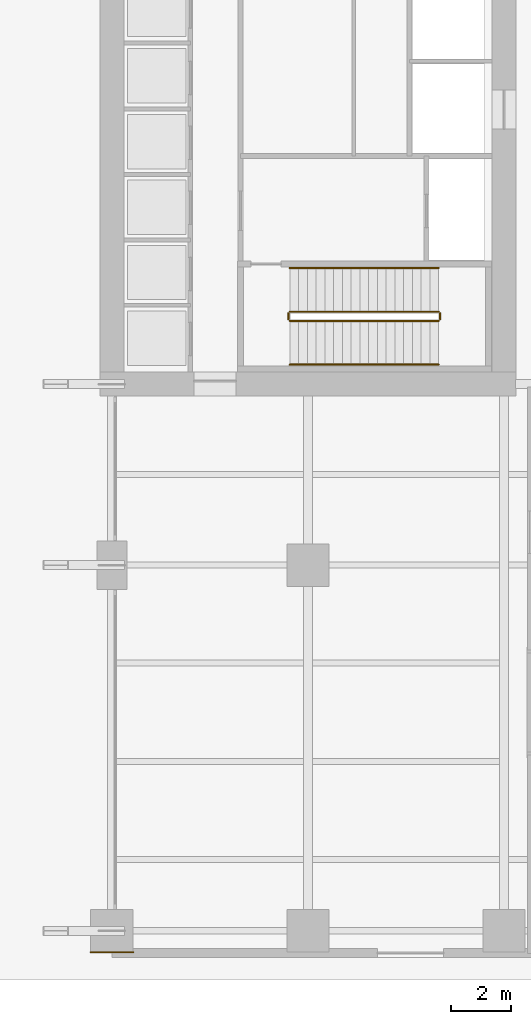
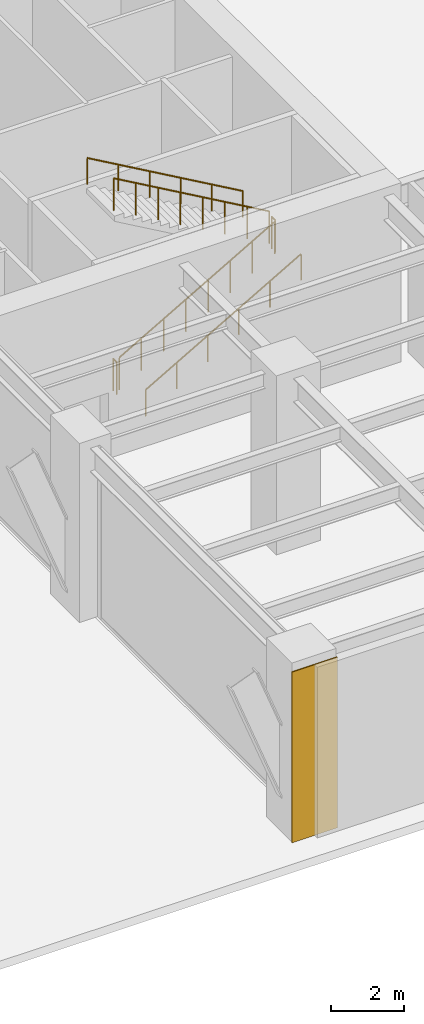
# One storey, part 17 of 20: 6 railings, 1 covering.
"""IFC4 building model written with IfcOpenShell, lengths in metres."""

from ifc_helpers import new_model, si_unit, direction, frame, origin, origin_2d, place, context, subcontext, project, spatial, rectangle, circle, extrude, material, layer, layer_set, type_object, element, save


model = new_model("IFC4")

# Units and contexts
model_context = context("Model", 3, precision=1e-05, world=origin(), true_north=direction((0.0, 1.0)))
body_context = subcontext(model_context, "Body", "Model", "MODEL_VIEW")
ifc_project = project(units=[si_unit("LENGTHUNIT", "METRE"), si_unit("AREAUNIT", "SQUARE_METRE"), si_unit("VOLUMEUNIT", "CUBIC_METRE"), si_unit("PLANEANGLEUNIT", "RADIAN"), si_unit("MASSUNIT", "GRAM", prefix="KILO")], contexts=[model_context])

# Site, building, storey
site_placement = place(None, origin())
site = spatial("IfcSite", under=ifc_project, at=site_placement, CompositionType="ELEMENT")
building_placement = place(site_placement, origin())
building = spatial("IfcBuilding", under=site, at=building_placement, Name="Putna Gate Headquarters", CompositionType="ELEMENT")
storey_placement = place(building_placement, origin())
storey = spatial("IfcBuildingStorey", under=building, at=storey_placement, Name="L00", CompositionType="ELEMENT", Elevation=0.0)

# Covering
ifc_material_1 = material(Name="Anodised architectural bronze rainscreen cladding", Category="aluminium")
ifc_layer = layer(ifc_material_1, 0.0400390625)
ifc_layer_set = layer_set([ifc_layer], Name="Anodised architectural bronze rainscreen cladding")
covering_type = type_object("IfcCoveringType", Name="COV-BRONZE-CLADDING", PredefinedType="CLADDING", material=ifc_layer_set)
covering_placement = place(storey_placement, frame((52.0, 0.1650390625, 0.0), z_axis=(0.0, 0.0, 1.0), x_axis=(1.0, 0.0, 0.0)))
element("IfcCovering", 1, at=covering_placement, inside=storey, type_object=covering_type, Name="L00 Giant Arch Pier Bronze Cladding ES", PredefinedType="CLADDING", context=body_context, shape_type="SweptSolid", body=[
    extrude(rectangle(XDim=1.43994140625, YDim=0.0400390625, at=origin_2d()), origin(), (0.0, 0.0, 1.0), 5.719970703125),
])

# Railings
ifc_material_2 = material(Name="Powder-coated steel stair guardrail", Category="steel")
railing_type_1 = type_object("IfcRailingType", Name="RAIL-STAIR-GUARD-1100", PredefinedType="GUARDRAIL", material=ifc_material_2)
railing_1_placement = place(storey_placement, frame((57.89990234375, 21.10009765625, 0.166748046875)))
element("IfcRailing", 2, at=railing_1_placement, inside=storey, type_object=railing_type_1, Name="L00 ST2 stair guard 1", PredefinedType="GUARDRAIL", context=body_context, shape_type="SweptSolid", body=[
    extrude(circle(Radius=0.02392578125, at=origin_2d()), frame((0.0, 0.0, 1.076171875), z_axis=(0.867027801877, 0.0, 0.498259762345), x_axis=(0.0, 1.0, 0.0)), (0.0, 0.0, 1.0), 5.686279296875),
    extrude(circle(Radius=0.02099609375, at=origin_2d()), origin(), (0.0, 0.0, 1.0), 1.052001953125),
    extrude(circle(Radius=0.02099609375, at=origin_2d()), frame((0.704345703125, 0.0, 0.40478515625)), (0.0, 0.0, 1.0), 1.052001953125),
    extrude(circle(Radius=0.02099609375, at=origin_2d()), frame((1.40869140625, 0.0, 0.8095703125)), (0.0, 0.0, 1.0), 1.052001953125),
    extrude(circle(Radius=0.02099609375, at=origin_2d()), frame((2.113037109375, 0.0, 1.21435546875)), (0.0, 0.0, 1.0), 1.052001953125),
    extrude(circle(Radius=0.02099609375, at=origin_2d()), frame((2.817138671875, 0.0, 1.618896484375)), (0.0, 0.0, 1.0), 1.052001953125),
    extrude(circle(Radius=0.02099609375, at=origin_2d()), frame((3.521484375, 0.0, 2.023681640625)), (0.0, 0.0, 1.0), 1.052001953125),
    extrude(circle(Radius=0.02099609375, at=origin_2d()), frame((4.225830078125, 0.0, 2.428466796875)), (0.0, 0.0, 1.0), 1.052001953125),
    extrude(circle(Radius=0.02099609375, at=origin_2d()), frame((4.93017578125, 0.0, 2.833251953125)), (0.0, 0.0, 1.0), 1.052001953125),
])
railing_2_placement = place(storey_placement, frame((62.8798828125, 21.14990234375, 3.0)))
element("IfcRailing", 3, at=railing_2_placement, inside=storey, type_object=railing_type_1, Name="L00 ST2 stair guard 2", PredefinedType="GUARDRAIL", context=body_context, shape_type="SweptSolid", body=[
    extrude(circle(Radius=0.02392578125, at=origin_2d()), frame((0.0, 0.0, 1.076171875), z_axis=(0.0, 1.0, 0.0), x_axis=(-1.0, 0.0, 0.0)), (0.0, 0.0, 1.0), 0.2001953125),
    extrude(circle(Radius=0.02099609375, at=origin_2d()), origin(), (0.0, 0.0, 1.0), 1.052001953125),
    extrude(circle(Radius=0.02099609375, at=origin_2d()), frame((0.0, 0.2001953125, 0.0)), (0.0, 0.0, 1.0), 1.052001953125),
])
railing_3_placement = place(storey_placement, frame((62.830078125, 21.39990234375, 3.166748046875)))
element("IfcRailing", 4, at=railing_3_placement, inside=storey, type_object=railing_type_1, Name="L00 ST2 stair guard 3", PredefinedType="GUARDRAIL", context=body_context, shape_type="SweptSolid", body=[
    extrude(circle(Radius=0.02392578125, at=origin_2d()), frame((0.0, 0.0, 1.076171875), z_axis=(-0.867027801877, 0.0, 0.498259762345), x_axis=(0.0, -1.0, 0.0)), (0.0, 0.0, 1.0), 5.686279296875),
    extrude(circle(Radius=0.02099609375, at=origin_2d()), origin(), (0.0, 0.0, 1.0), 1.052001953125),
    extrude(circle(Radius=0.02099609375, at=origin_2d()), frame((-0.704345703125, 0.0, 0.40478515625)), (0.0, 0.0, 1.0), 1.052001953125),
    extrude(circle(Radius=0.02099609375, at=origin_2d()), frame((-1.40869140625, 0.0, 0.8095703125)), (0.0, 0.0, 1.0), 1.052001953125),
    extrude(circle(Radius=0.02099609375, at=origin_2d()), frame((-2.113037109375, 0.0, 1.21435546875)), (0.0, 0.0, 1.0), 1.052001953125),
    extrude(circle(Radius=0.02099609375, at=origin_2d()), frame((-2.817138671875, 0.0, 1.618896484375)), (0.0, 0.0, 1.0), 1.052001953125),
    extrude(circle(Radius=0.02099609375, at=origin_2d()), frame((-3.521484375, 0.0, 2.023681640625)), (0.0, 0.0, 1.0), 1.052001953125),
    extrude(circle(Radius=0.02099609375, at=origin_2d()), frame((-4.225830078125, 0.0, 2.428466796875)), (0.0, 0.0, 1.0), 1.052001953125),
    extrude(circle(Radius=0.02099609375, at=origin_2d()), frame((-4.93017578125, 0.0, 2.833251953125)), (0.0, 0.0, 1.0), 1.052001953125),
])
railing_4_placement = place(storey_placement, frame((57.85009765625, 21.14990234375, 0.0)))
element("IfcRailing", 5, at=railing_4_placement, inside=storey, type_object=railing_type_1, Name="L00 ST2 stair guard 4", PredefinedType="GUARDRAIL", context=body_context, shape_type="SweptSolid", body=[
    extrude(circle(Radius=0.02392578125, at=origin_2d()), frame((0.0, 0.0, 1.076171875), z_axis=(0.0, 1.0, 0.0), x_axis=(-1.0, 0.0, 0.0)), (0.0, 0.0, 1.0), 0.2001953125),
    extrude(circle(Radius=0.02099609375, at=origin_2d()), origin(), (0.0, 0.0, 1.0), 1.052001953125),
    extrude(circle(Radius=0.02099609375, at=origin_2d()), frame((0.0, 0.2001953125, 0.0)), (0.0, 0.0, 1.0), 1.052001953125),
])
ifc_material_3 = material(Name="Brushed stainless steel handrail", Category="steel")
railing_type_2 = type_object("IfcRailingType", Name="RAIL-STAIR-HAND-900", PredefinedType="HANDRAIL", material=ifc_material_3)
railing_5_placement = place(storey_placement, frame((57.89990234375, 19.64990234375, 0.166748046875)))
element("IfcRailing", 6, at=railing_5_placement, inside=storey, type_object=railing_type_2, Name="L00 ST2 stair handrail 1", PredefinedType="HANDRAIL", context=body_context, shape_type="SweptSolid", body=[
    extrude(circle(Radius=0.02392578125, at=origin_2d()), frame((0.0, 0.0, 0.8759765625), z_axis=(0.867027801877, 0.0, 0.498259762345), x_axis=(0.0, 1.0, 0.0)), (0.0, 0.0, 1.0), 5.686279296875),
    extrude(circle(Radius=0.02099609375, at=origin_2d()), origin(), (0.0, 0.0, 1.0), 0.851806640625),
    extrude(circle(Radius=0.02099609375, at=origin_2d()), frame((0.986083984375, 0.0, 0.566650390625)), (0.0, 0.0, 1.0), 0.851806640625),
    extrude(circle(Radius=0.02099609375, at=origin_2d()), frame((1.97216796875, 0.0, 1.13330078125)), (0.0, 0.0, 1.0), 0.851806640625),
    extrude(circle(Radius=0.02099609375, at=origin_2d()), frame((2.9580078125, 0.0, 1.699951171875)), (0.0, 0.0, 1.0), 0.851806640625),
    extrude(circle(Radius=0.02099609375, at=origin_2d()), frame((3.944091796875, 0.0, 2.2666015625)), (0.0, 0.0, 1.0), 0.851806640625),
    extrude(circle(Radius=0.02099609375, at=origin_2d()), frame((4.93017578125, 0.0, 2.833251953125)), (0.0, 0.0, 1.0), 0.851806640625),
])
railing_6_placement = place(storey_placement, frame((62.830078125, 22.85009765625, 3.166748046875)))
element("IfcRailing", 7, at=railing_6_placement, inside=storey, type_object=railing_type_2, Name="L00 ST2 stair handrail 2", PredefinedType="HANDRAIL", context=body_context, shape_type="SweptSolid", body=[
    extrude(circle(Radius=0.02392578125, at=origin_2d()), frame((0.0, 0.0, 0.8759765625), z_axis=(-0.867027801877, 0.0, 0.498259762345), x_axis=(0.0, -1.0, 0.0)), (0.0, 0.0, 1.0), 5.686279296875),
    extrude(circle(Radius=0.02099609375, at=origin_2d()), origin(), (0.0, 0.0, 1.0), 0.851806640625),
    extrude(circle(Radius=0.02099609375, at=origin_2d()), frame((-0.986083984375, 0.0, 0.566650390625)), (0.0, 0.0, 1.0), 0.851806640625),
    extrude(circle(Radius=0.02099609375, at=origin_2d()), frame((-1.97216796875, 0.0, 1.13330078125)), (0.0, 0.0, 1.0), 0.851806640625),
    extrude(circle(Radius=0.02099609375, at=origin_2d()), frame((-2.9580078125, 0.0, 1.699951171875)), (0.0, 0.0, 1.0), 0.851806640625),
    extrude(circle(Radius=0.02099609375, at=origin_2d()), frame((-3.944091796875, 0.0, 2.2666015625)), (0.0, 0.0, 1.0), 0.851806640625),
    extrude(circle(Radius=0.02099609375, at=origin_2d()), frame((-4.93017578125, 0.0, 2.833251953125)), (0.0, 0.0, 1.0), 0.851806640625),
])

save(model, "model.ifc")
